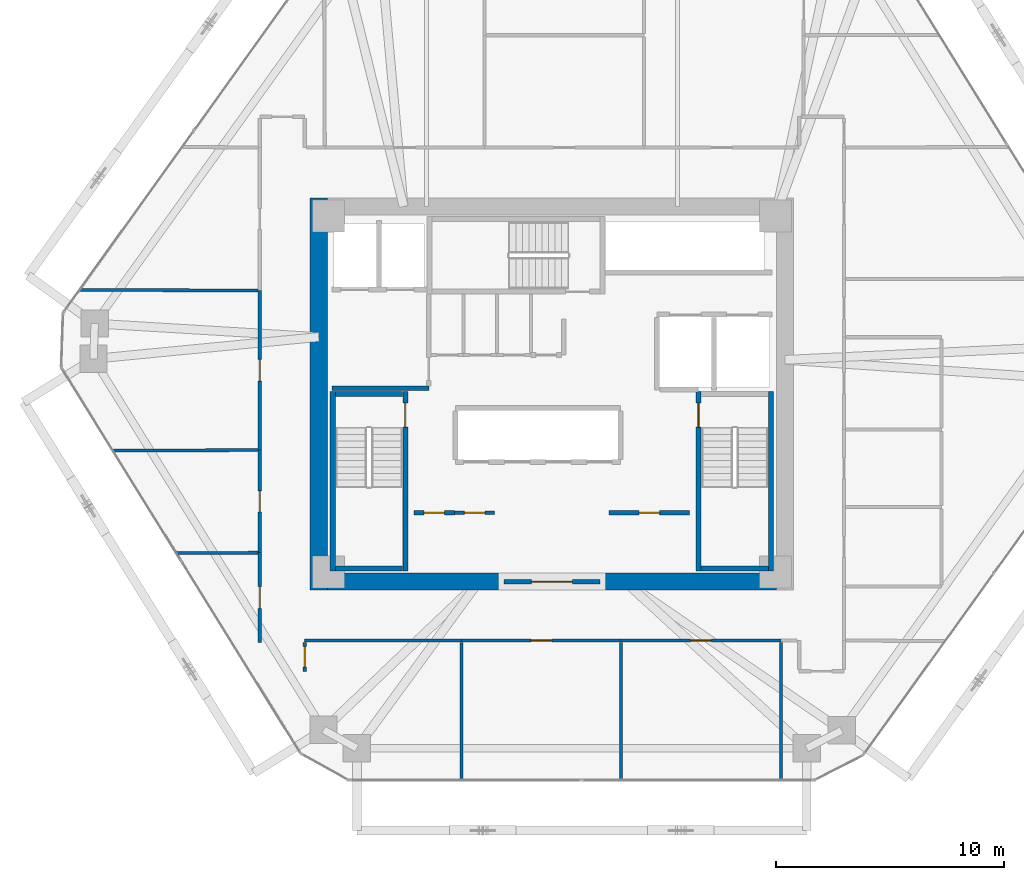
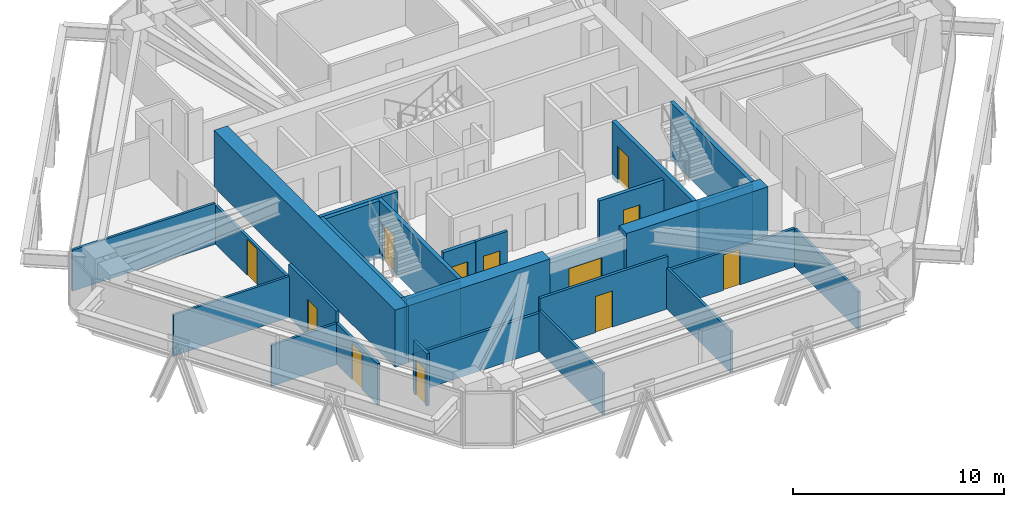
# One storey, part 12 of 16: 28 walls, 12 doors, 12 openings.
"""IFC4 building model written with IfcOpenShell, lengths in metres."""

from ifc_helpers import new_model, si_unit, direction, frame, frame_2d, origin, place, context, subcontext, project, spatial, rectangle, extrude, source, transform, mapped, material, layer, layer_set, type_object, type_shapes, element, fill, save


model = new_model("IFC4")

# Units and contexts
model_context = context("Model", 3, precision=1e-05, world=origin(), true_north=direction((0.0, 1.0)))
body_context = subcontext(model_context, "Body", "Model", "MODEL_VIEW")
ifc_project = project(units=[si_unit("LENGTHUNIT", "METRE"), si_unit("AREAUNIT", "SQUARE_METRE"), si_unit("VOLUMEUNIT", "CUBIC_METRE"), si_unit("PLANEANGLEUNIT", "RADIAN"), si_unit("MASSUNIT", "GRAM", prefix="KILO")], contexts=[model_context])

# Site, building, storey
site_placement = place(None, origin())
site = spatial("IfcSite", under=ifc_project, at=site_placement, CompositionType="ELEMENT")
building_placement = place(site_placement, origin())
building = spatial("IfcBuilding", under=site, at=building_placement, Name="Durnholm Broadcast Tower", CompositionType="ELEMENT")
storey_placement = place(building_placement, frame((0.0, 0.0, 110.699951171875)))
storey = spatial("IfcBuildingStorey", under=building, at=storey_placement, Name="L29", CompositionType="ELEMENT", Elevation=110.699951171875)

# Walls
ifc_material_1 = material(Name="Concrete C70/85", Category="concrete")
ifc_layer_1 = layer(ifc_material_1, 0.75)
ifc_layer_set_1 = layer_set([ifc_layer_1], Name="Concrete C70/85")
wall_type_1 = type_object("IfcWallType", Name="WALL-CW-750", PredefinedType="SHEAR", material=ifc_layer_set_1)
wall_1_placement = place(storey_placement, frame((-10.22509765625, -8.60009765625, 0.0), z_axis=(0.0, 0.0, 1.0), x_axis=(0.0, 1.0, 0.0)))
element("IfcWall", 1, at=wall_1_placement, inside=storey, type_object=wall_type_1, Name="L29 central core shear wall CW-WEST", PredefinedType="SHEAR", context=body_context, shape_type="SweptSolid", body=[
    extrude(rectangle(XDim=17.2001953125, YDim=0.75, at=frame_2d((8.60009765625, 0.0))), origin(), (0.0, 0.0, 1.0), 3.300048828125),
])
for number, where, z_axis, x_axis, name in (
    (2, (-9.85009765625, -8.22509765625, 0.0), (0.0, 0.0, 1.0), (1.0, 0.0, 0.0), "L29 central core shear wall CW-S1"),
    (3, (2.10009765625, -8.22509765625, 0.0), (0.0, 0.0, 1.0), (1.0, 0.0, 0.0), "L29 central core shear wall CW-S2"),
):
    element("IfcWall", number, at=place(storey_placement, frame(where, z_axis=z_axis, x_axis=x_axis)), inside=storey, type_object=wall_type_1, Name=name, PredefinedType="SHEAR", context=body_context, shape_type="SweptSolid", body=[
        extrude(rectangle(XDim=7.75, YDim=0.75, at=frame_2d((3.875, 0.0))), origin(), (0.0, 0.0, 1.0), 3.300048828125),
    ])

# Wall, opening, door
ifc_material_2 = material(Name="Fire-Rated Gypsum Shaftwall", Category="concrete")
ifc_layer_2 = layer(ifc_material_2, 0.199951171875)
ifc_layer_set_2 = layer_set([ifc_layer_2], Name="Fire-Rated Gypsum Shaftwall")
wall_type_2 = type_object("IfcWallType", Name="WALL-LOB-200", PredefinedType="SOLIDWALL", material=ifc_layer_set_2)
wall_2_placement = place(storey_placement, frame((-2.10009765625, -8.22509765625, 0.0), z_axis=(0.0, 0.0, 1.0), x_axis=(1.0, 0.0, 0.0)))
wall_2 = element("IfcWall", 4, at=wall_2_placement, inside=storey, type_object=wall_type_2, Name="L29 south core lobby fire screen", PredefinedType="SOLIDWALL", context=body_context, shape_type="SweptSolid", body=[
    extrude(rectangle(XDim=4.2001953125, YDim=0.199951171875, at=frame_2d((2.10009765625, 0.0))), origin(), (0.0, 0.0, 1.0), 3.045166015625),
])
opening_1_placement = place(wall_2_placement, frame((1.199951171875, 0.0, 0.0)))
opening_1 = element("IfcOpeningElement", 5, at=opening_1_placement, cuts=wall_2, Name="Opening DP-60", PredefinedType="OPENING", context=body_context, shape_type="SweptSolid", body=[
    extrude(rectangle(XDim=1.800048828125, YDim=2.14990234375, at=frame_2d((0.89990234375, 1.074951171875))), frame((0.0, 0.10986328125, 0.0), z_axis=(0.0, -1.0, 0.0), x_axis=(1.0, 0.0, 0.0)), (0.0, 0.0, 1.0), 0.219970703125),
])
ifc_material_3 = material(Name="Fire-Rated Double Corridor Door", Category="steel")
ifc_layer_3 = layer(ifc_material_3, 0.050048828125)
ifc_layer_set_3 = layer_set([ifc_layer_3], Name="Fire-Rated Double Corridor Door")
door_type_1 = type_object("IfcDoorType", Name="DOOR-PAIR-FD60", OperationType="DOUBLE_DOOR_SINGLE_SWING", PredefinedType="DOOR", material=ifc_layer_set_3)
shared_shape_1 = source(origin(), body_context, "Body", "SweptSolid", [
    extrude(rectangle(XDim=1.800048828125, YDim=2.14990234375, at=frame_2d((0.89990234375, 1.074951171875))), frame((0.0, 0.02490234375, 0.0), z_axis=(0.0, -1.0, 0.0), x_axis=(1.0, 0.0, 0.0)), (0.0, 0.0, 1.0), 0.050048828125),
])
type_shapes(door_type_1, [shared_shape_1])
door_1_placement = place(opening_1_placement, origin())
door_1 = element("IfcDoor", 6, at=door_1_placement, inside=storey, type_object=door_type_1, Name="L29 south core lobby double fire door", OperationType="DOUBLE_DOOR_SINGLE_SWING", OverallHeight=2.14990234375, OverallWidth=1.800048828125, PredefinedType="DOOR", context=body_context, shape_type="MappedRepresentation", body=[
    mapped(shared_shape_1, transform((0.0, 0.0, 0.0), x_axis=(1.0, 0.0, 0.0), y_axis=(0.0, 1.0, 0.0), z_axis=(0.0, 0.0, 1.0), scale=1.0)),
])
fill(opening_1, door_1)

# Wall
wall_3_placement = place(storey_placement, frame((-9.64990234375, 0.25, 0.0), z_axis=(0.0, 0.0, 1.0), x_axis=(1.0, 0.0, 0.0)))
element("IfcWall", 7, at=wall_3_placement, inside=storey, type_object=wall_type_2, Name="L29 Fire Service Access Elevator lobby south wall", PredefinedType="SOLIDWALL", context=body_context, shape_type="SweptSolid", body=[
    extrude(rectangle(XDim=4.27001953125, YDim=0.199951171875, at=frame_2d((2.135009765625, 0.0))), origin(), (0.0, 0.0, 1.0), 3.045166015625),
])

# Wall, opening, door
wall_4_placement = place(storey_placement, frame((-6.0400390625, -5.2099609375, 0.0), z_axis=(0.0, 0.0, 1.0), x_axis=(1.0, 0.0, 0.0)))
wall_4 = element("IfcWall", 8, at=wall_4_placement, inside=storey, type_object=wall_type_2, Name="L29 Media Fiber Patch Room corridor partition", PredefinedType="SOLIDWALL", context=body_context, shape_type="SweptSolid", body=[
    extrude(rectangle(XDim=1.760009765625, YDim=0.199951171875, at=frame_2d((0.8798828125, 0.0))), origin(), (0.0, 0.0, 1.0), 3.045166015625),
])
opening_2_placement = place(wall_4_placement, frame((0.429931640625, 0.0, 0.0)))
opening_2 = element("IfcOpeningElement", 9, at=opening_2_placement, cuts=wall_4, Name="Opening DC-60R", PredefinedType="OPENING", context=body_context, shape_type="SweptSolid", body=[
    extrude(rectangle(XDim=0.89990234375, YDim=2.050048828125, at=frame_2d((0.449951171875, 1.02490234375))), frame((0.0, 0.10986328125, 0.0), z_axis=(0.0, -1.0, 0.0), x_axis=(1.0, 0.0, 0.0)), (0.0, 0.0, 1.0), 0.219970703125),
])
ifc_material_4 = material(Name="Fire-Rated Core Service Door", Category="steel")
ifc_layer_4 = layer(ifc_material_4, 0.050048828125)
ifc_layer_set_4 = layer_set([ifc_layer_4], Name="Fire-Rated Core Service Door")
door_type_2 = type_object("IfcDoorType", Name="DOOR-CORE-FD60-R", OperationType="NOTDEFINED", PredefinedType="DOOR", material=ifc_layer_set_4)
shared_shape_2 = source(origin(), body_context, "Body", "SweptSolid", [
    extrude(rectangle(XDim=0.89990234375, YDim=2.050048828125, at=frame_2d((0.449951171875, 1.02490234375))), frame((0.0, 0.02490234375, 0.0), z_axis=(0.0, -1.0, 0.0), x_axis=(1.0, 0.0, 0.0)), (0.0, 0.0, 1.0), 0.050048828125),
])
type_shapes(door_type_2, [shared_shape_2])
door_2_placement = place(opening_2_placement, origin())
door_2 = element("IfcDoor", 10, at=door_2_placement, inside=storey, type_object=door_type_2, Name="L29 Media Fiber Patch Room entrance door", OperationType="SINGLE_SWING_RIGHT", OverallHeight=2.050048828125, OverallWidth=0.89990234375, PredefinedType="DOOR", context=body_context, shape_type="MappedRepresentation", body=[
    mapped(shared_shape_2, transform((0.0, 0.0, 0.0), x_axis=(1.0, 0.0, 0.0), y_axis=(0.0, 1.0, 0.0), z_axis=(0.0, 0.0, 1.0), scale=1.0)),
])
fill(opening_2, door_2)

wall_5_placement = place(storey_placement, frame((2.510009765625, -5.2099609375, 0.0), z_axis=(0.0, 0.0, 1.0), x_axis=(1.0, 0.0, 0.0)))
wall_5 = element("IfcWall", 11, at=wall_5_placement, inside=storey, type_object=wall_type_2, Name="L29 Telemetry Control Closet corridor partition", PredefinedType="SOLIDWALL", context=body_context, shape_type="SweptSolid", body=[
    extrude(rectangle(XDim=3.530029296875, YDim=0.199951171875, at=frame_2d((1.76513671875, 0.0))), origin(), (0.0, 0.0, 1.0), 3.045166015625),
])
opening_3_placement = place(wall_5_placement, frame((1.31494140625, 0.0, 0.0)))
opening_3 = element("IfcOpeningElement", 12, at=opening_3_placement, cuts=wall_5, Name="Opening DC-60R", PredefinedType="OPENING", context=body_context, shape_type="SweptSolid", body=[
    extrude(rectangle(XDim=0.89990234375, YDim=2.050048828125, at=frame_2d((0.449951171875, 1.02490234375))), frame((0.0, 0.10986328125, 0.0), z_axis=(0.0, -1.0, 0.0), x_axis=(1.0, 0.0, 0.0)), (0.0, 0.0, 1.0), 0.219970703125),
])
door_3_placement = place(opening_3_placement, origin())
door_3 = element("IfcDoor", 13, at=door_3_placement, inside=storey, type_object=door_type_2, Name="L29 Telemetry Control Closet entrance door", OperationType="SINGLE_SWING_RIGHT", OverallHeight=2.050048828125, OverallWidth=0.89990234375, PredefinedType="DOOR", context=body_context, shape_type="MappedRepresentation", body=[
    mapped(shared_shape_2, transform((0.0, 0.0, 0.0), x_axis=(1.0, 0.0, 0.0), y_axis=(0.0, 1.0, 0.0), z_axis=(0.0, 0.0, 1.0), scale=1.0)),
])
fill(opening_3, door_3)

# Walls
ifc_material_5 = material(Name="Gypsum Metal Stud Partition", Category="concrete")
ifc_layer_5 = layer(ifc_material_5, 0.135009765625)
ifc_layer_set_5 = layer_set([ifc_layer_5], Name="Gypsum Metal Stud Partition")
wall_type_3 = type_object("IfcWallType", Name="WALL-PART-135", PredefinedType="PARTITIONING", material=ifc_layer_set_5)
for number, where, z_axis, x_axis, name in (
    (14, (-3.9599609375, -10.888916015625, 0.0), (0.0, 0.0, 1.0), (0.0, -1.0, 0.0), "L29 room dividing partition 18.19"),
    (15, (3.0400390625, -10.888916015625, 0.0), (0.0, 0.0, 1.0), (0.0, -1.0, 0.0), "L29 room dividing partition 19.20"),
):
    element("IfcWall", number, at=place(storey_placement, frame(where, z_axis=z_axis, x_axis=x_axis)), inside=storey, type_object=wall_type_3, Name=name, PredefinedType="PARTITIONING", context=body_context, shape_type="SweptSolid", body=[
        extrude(rectangle(XDim=6.048095703125, YDim=0.135009765625, at=frame_2d((3.02392578125, 0.0))), origin(), (0.0, 0.0, 1.0), 2.380126953125),
    ])
wall_6_placement = place(storey_placement, frame((10.0400390625, -10.888916015625, 0.0), z_axis=(0.0, 0.0, 1.0), x_axis=(0.0, -1.0, 0.0)))
element("IfcWall", 16, at=wall_6_placement, inside=storey, type_object=wall_type_3, Name="L29 room dividing partition 20.21", PredefinedType="PARTITIONING", context=body_context, shape_type="SweptSolid", body=[
    extrude(rectangle(XDim=6.048095703125, YDim=0.135009765625, at=frame_2d((3.02392578125, 0.0))), origin(), (0.0, 0.0, 1.0), 2.212158203125),
])
wall_7_placement = place(storey_placement, frame((-16.4638671875, -6.981201171875, 0.0), z_axis=(0.0, 0.0, 1.0), x_axis=(0.99998315245, 0.005804723619, 0.0)))
element("IfcWall", 17, at=wall_7_placement, inside=storey, type_object=wall_type_3, Name="L29 room dividing partition 22.23", PredefinedType="PARTITIONING", context=body_context, shape_type="SweptSolid", body=[
    extrude(rectangle(XDim=3.574951171875, YDim=0.135009765625, at=frame_2d((1.78759765625, 0.0))), origin(), (0.0, 0.0, 1.0), 2.380126953125),
])
wall_8_placement = place(storey_placement, frame((-19.255126953125, -2.481201171875, 0.0), z_axis=(0.0, 0.0, 1.0), x_axis=(0.999994561471, 0.003298033912, 0.0)))
element("IfcWall", 18, at=wall_8_placement, inside=storey, type_object=wall_type_3, Name="L29 room dividing partition 23.24", PredefinedType="PARTITIONING", context=body_context, shape_type="SweptSolid", body=[
    extrude(rectangle(XDim=6.3662109375, YDim=0.135009765625, at=frame_2d((3.18310546875, 0.0))), origin(), (0.0, 0.0, 1.0), 2.380126953125),
])
wall_9_placement = place(storey_placement, frame((-20.71630859375, 4.563232421875, 0.0), z_axis=(0.0, 0.0, 1.0), x_axis=(0.999995701977, -0.002931898443, 0.0)))
element("IfcWall", 19, at=wall_9_placement, inside=storey, type_object=wall_type_3, Name="L29 room dividing partition 24.25", PredefinedType="PARTITIONING", context=body_context, shape_type="SweptSolid", body=[
    extrude(rectangle(XDim=7.827392578125, YDim=0.135009765625, at=frame_2d((3.91357421875, 0.0))), origin(), (0.0, 0.0, 1.0), 2.380126953125),
])

# Wall, opening, door
ifc_material_6 = material(Name="Acoustic Gypsum Stud Partition", Category="concrete")
ifc_layer_6 = layer(ifc_material_6, 0.14990234375)
ifc_layer_set_6 = layer_set([ifc_layer_6], Name="Acoustic Gypsum Stud Partition")
wall_type_4 = type_object("IfcWallType", Name="WALL-PART-150", PredefinedType="PARTITIONING", material=ifc_layer_set_6)
wall_10_placement = place(storey_placement, frame((-4.260009765625, -5.2099609375, 0.0), z_axis=(0.0, 0.0, 1.0), x_axis=(1.0, 0.0, 0.0)))
wall_10 = element("IfcWall", 20, at=wall_10_placement, inside=storey, type_object=wall_type_4, Name="L29 Copy and Print Room corridor partition", PredefinedType="PARTITIONING", context=body_context, shape_type="SweptSolid", body=[
    extrude(rectangle(XDim=1.75, YDim=0.14990234375, at=frame_2d((0.875, 0.0))), origin(), (0.0, 0.0, 1.0), 3.045166015625),
])
opening_4_placement = place(wall_10_placement, frame((0.425048828125, 0.0, 0.0)))
opening_4 = element("IfcOpeningElement", 21, at=opening_4_placement, cuts=wall_10, Name="Opening DC-60L", PredefinedType="OPENING", context=body_context, shape_type="SweptSolid", body=[
    extrude(rectangle(XDim=0.89990234375, YDim=2.050048828125, at=frame_2d((0.449951171875, 1.02490234375))), frame((0.0, 0.0849609375, 0.0), z_axis=(0.0, -1.0, 0.0), x_axis=(1.0, 0.0, 0.0)), (0.0, 0.0, 1.0), 0.169921875),
])
ifc_layer_7 = layer(ifc_material_4, 0.050048828125)
ifc_layer_set_7 = layer_set([ifc_layer_7], Name="Fire-Rated Core Service Door")
door_type_3 = type_object("IfcDoorType", Name="DOOR-CORE-FD60-L", OperationType="NOTDEFINED", PredefinedType="DOOR", material=ifc_layer_set_7)
shared_shape_3 = source(origin(), body_context, "Body", "SweptSolid", [
    extrude(rectangle(XDim=0.89990234375, YDim=2.050048828125, at=frame_2d((0.449951171875, 1.02490234375))), frame((0.0, 0.02490234375, 0.0), z_axis=(0.0, -1.0, 0.0), x_axis=(1.0, 0.0, 0.0)), (0.0, 0.0, 1.0), 0.050048828125),
])
type_shapes(door_type_3, [shared_shape_3])
door_4_placement = place(opening_4_placement, origin())
door_4 = element("IfcDoor", 22, at=door_4_placement, inside=storey, type_object=door_type_3, Name="L29 Copy and Print Room entrance door", OperationType="SINGLE_SWING_LEFT", OverallHeight=2.050048828125, OverallWidth=0.89990234375, PredefinedType="DOOR", context=body_context, shape_type="MappedRepresentation", body=[
    mapped(shared_shape_3, transform((0.0, 0.0, 0.0), x_axis=(1.0, 0.0, 0.0), y_axis=(0.0, 1.0, 0.0), z_axis=(0.0, 0.0, 1.0), scale=1.0)),
])
fill(opening_4, door_4)

# Wall
wall_11_placement = place(storey_placement, frame((-10.840087890625, -10.81005859375, 0.0), z_axis=(0.0, 0.0, 1.0), x_axis=(1.0, 0.0, 0.0)))
element("IfcWall", 23, at=wall_11_placement, inside=storey, type_object=wall_type_4, Name="L29 Post Producer Office corridor partition", PredefinedType="PARTITIONING", context=body_context, shape_type="SweptSolid", body=[
    extrude(rectangle(XDim=6.880126953125, YDim=0.14990234375, at=frame_2d((3.43994140625, 0.0))), origin(), (0.0, 0.0, 1.0), 2.212158203125),
])

# Wall, opening, door
wall_12_placement = place(storey_placement, frame((-10.840087890625, -12.159912109375, 0.0), z_axis=(0.0, 0.0, 1.0), x_axis=(0.0, 1.0, 0.0)))
wall_12 = element("IfcWall", 24, at=wall_12_placement, inside=storey, type_object=wall_type_4, Name="L29 Post Producer Office corridor partition", PredefinedType="PARTITIONING", context=body_context, shape_type="SweptSolid", body=[
    extrude(rectangle(XDim=1.27099609375, YDim=0.14990234375, at=frame_2d((0.635498046875, 0.0))), origin(), (0.0, 0.0, 1.0), 3.045166015625),
])
opening_5_placement = place(wall_12_placement, frame((0.185546875, 0.0, 0.0)))
opening_5 = element("IfcOpeningElement", 25, at=opening_5_placement, cuts=wall_12, Name="Opening DW-90L", PredefinedType="OPENING", context=body_context, shape_type="SweptSolid", body=[
    extrude(rectangle(XDim=0.89990234375, YDim=2.050048828125, at=frame_2d((0.449951171875, 1.02490234375))), frame((0.0, 0.0849609375, 0.0), z_axis=(0.0, -1.0, 0.0), x_axis=(1.0, 0.0, 0.0)), (0.0, 0.0, 1.0), 0.169921875),
])
ifc_material_7 = material(Name="Laminate Restroom Door", Category="steel")
ifc_layer_8 = layer(ifc_material_7, 0.050048828125)
ifc_layer_set_8 = layer_set([ifc_layer_8], Name="Laminate Restroom Door")
door_type_4 = type_object("IfcDoorType", Name="DOOR-WC-900L", OperationType="NOTDEFINED", PredefinedType="DOOR", material=ifc_layer_set_8)
shared_shape_4 = source(origin(), body_context, "Body", "SweptSolid", [
    extrude(rectangle(XDim=0.89990234375, YDim=2.050048828125, at=frame_2d((0.449951171875, 1.02490234375))), frame((0.0, 0.02490234375, 0.0), z_axis=(0.0, -1.0, 0.0), x_axis=(1.0, 0.0, 0.0)), (0.0, 0.0, 1.0), 0.050048828125),
])
type_shapes(door_type_4, [shared_shape_4])
door_5_placement = place(opening_5_placement, origin())
door_5 = element("IfcDoor", 26, at=door_5_placement, inside=storey, type_object=door_type_4, Name="L29 Post Producer Office entrance door", OperationType="SINGLE_SWING_LEFT", OverallHeight=2.050048828125, OverallWidth=0.89990234375, PredefinedType="DOOR", context=body_context, shape_type="MappedRepresentation", body=[
    mapped(shared_shape_4, transform((0.0, 0.0, 0.0), x_axis=(1.0, 0.0, 0.0), y_axis=(0.0, 1.0, 0.0), z_axis=(0.0, 0.0, 1.0), scale=1.0)),
])
fill(opening_5, door_5)

wall_13_placement = place(storey_placement, frame((-3.9599609375, -10.81005859375, 0.0), z_axis=(0.0, 0.0, 1.0), x_axis=(1.0, 0.0, 0.0)))
wall_13 = element("IfcWall", 27, at=wall_13_placement, inside=storey, type_object=wall_type_4, Name="L29 Client Meeting Room corridor partition", PredefinedType="PARTITIONING", context=body_context, shape_type="SweptSolid", body=[
    extrude(rectangle(XDim=7.0, YDim=0.14990234375, at=frame_2d((3.5, 0.0))), origin(), (0.0, 0.0, 1.0), 3.045166015625),
])
opening_6_placement = place(wall_13_placement, frame((3.0400390625, 0.0, 0.0)))
opening_6 = element("IfcOpeningElement", 28, at=opening_6_placement, cuts=wall_13, Name="Opening DR-92R", PredefinedType="OPENING", context=body_context, shape_type="SweptSolid", body=[
    extrude(rectangle(XDim=0.919921875, YDim=2.10009765625, at=frame_2d((0.4599609375, 1.050048828125))), frame((0.0, 0.0849609375, 0.0), z_axis=(0.0, -1.0, 0.0), x_axis=(1.0, 0.0, 0.0)), (0.0, 0.0, 1.0), 0.169921875),
])
ifc_material_8 = material(Name="Oak Veneer Office Door", Category="wood")
ifc_layer_9 = layer(ifc_material_8, 0.050048828125)
ifc_layer_set_9 = layer_set([ifc_layer_9], Name="Oak Veneer Office Door")
door_type_5 = type_object("IfcDoorType", Name="DOOR-RM-920R", OperationType="NOTDEFINED", PredefinedType="DOOR", material=ifc_layer_set_9)
shared_shape_5 = source(origin(), body_context, "Body", "SweptSolid", [
    extrude(rectangle(XDim=0.919921875, YDim=2.10009765625, at=frame_2d((0.4599609375, 1.050048828125))), frame((0.0, 0.02490234375, 0.0), z_axis=(0.0, -1.0, 0.0), x_axis=(1.0, 0.0, 0.0)), (0.0, 0.0, 1.0), 0.050048828125),
])
type_shapes(door_type_5, [shared_shape_5])
door_6_placement = place(opening_6_placement, origin())
door_6 = element("IfcDoor", 29, at=door_6_placement, inside=storey, type_object=door_type_5, Name="L29 Client Meeting Room entrance door", OperationType="SINGLE_SWING_RIGHT", OverallHeight=2.10009765625, OverallWidth=0.919921875, PredefinedType="DOOR", context=body_context, shape_type="MappedRepresentation", body=[
    mapped(shared_shape_5, transform((0.0, 0.0, 0.0), x_axis=(1.0, 0.0, 0.0), y_axis=(0.0, 1.0, 0.0), z_axis=(0.0, 0.0, 1.0), scale=1.0)),
])
fill(opening_6, door_6)

wall_14_placement = place(storey_placement, frame((3.0400390625, -10.81005859375, 0.0), z_axis=(0.0, 0.0, 1.0), x_axis=(1.0, 0.0, 0.0)))
wall_14 = element("IfcWall", 30, at=wall_14_placement, inside=storey, type_object=wall_type_4, Name="L29 Tape Store corridor partition", PredefinedType="PARTITIONING", context=body_context, shape_type="SweptSolid", body=[
    extrude(rectangle(XDim=7.0, YDim=0.14990234375, at=frame_2d((3.5, 0.0))), origin(), (0.0, 0.0, 1.0), 2.212158203125),
])
opening_7_placement = place(wall_14_placement, frame((3.050048828125, 0.0, 0.0)))
opening_7 = element("IfcOpeningElement", 31, at=opening_7_placement, cuts=wall_14, Name="Opening DC-60L", PredefinedType="OPENING", context=body_context, shape_type="SweptSolid", body=[
    extrude(rectangle(XDim=0.89990234375, YDim=2.050048828125, at=frame_2d((0.449951171875, 1.02490234375))), frame((0.0, 0.0849609375, 0.0), z_axis=(0.0, -1.0, 0.0), x_axis=(1.0, 0.0, 0.0)), (0.0, 0.0, 1.0), 0.169921875),
])
door_7_placement = place(opening_7_placement, origin())
door_7 = element("IfcDoor", 32, at=door_7_placement, inside=storey, type_object=door_type_3, Name="L29 Tape Store entrance door", OperationType="SINGLE_SWING_LEFT", OverallHeight=2.050048828125, OverallWidth=0.89990234375, PredefinedType="DOOR", context=body_context, shape_type="MappedRepresentation", body=[
    mapped(shared_shape_3, transform((0.0, 0.0, 0.0), x_axis=(1.0, 0.0, 0.0), y_axis=(0.0, 1.0, 0.0), z_axis=(0.0, 0.0, 1.0), scale=1.0)),
])
fill(opening_7, door_7)

wall_15_placement = place(storey_placement, frame((-12.81005859375, -6.9599609375, 0.0), z_axis=(0.0, 0.0, 1.0), x_axis=(0.0, -1.0, 0.0)))
wall_15 = element("IfcWall", 33, at=wall_15_placement, inside=storey, type_object=wall_type_4, Name="L29 VFX Office 2 corridor partition", PredefinedType="PARTITIONING", context=body_context, shape_type="SweptSolid", body=[
    extrude(rectangle(XDim=3.929931640625, YDim=0.14990234375, at=frame_2d((1.96484375, 0.0))), origin(), (0.0, 0.0, 1.0), 2.380126953125),
])
opening_8_placement = place(wall_15_placement, frame((1.489990234375, 0.0, 0.0)))
opening_8 = element("IfcOpeningElement", 34, at=opening_8_placement, cuts=wall_15, Name="Opening DR-95L", PredefinedType="OPENING", context=body_context, shape_type="SweptSolid", body=[
    extrude(rectangle(XDim=0.949951171875, YDim=2.10009765625, at=frame_2d((0.47509765625, 1.050048828125))), frame((0.0, 0.0849609375, 0.0), z_axis=(0.0, -1.0, 0.0), x_axis=(1.0, 0.0, 0.0)), (0.0, 0.0, 1.0), 0.169921875),
])
ifc_material_9 = material(Name="Acoustic Oak Veneer Timber Door", Category="wood")
ifc_layer_10 = layer(ifc_material_9, 0.050048828125)
ifc_layer_set_10 = layer_set([ifc_layer_10], Name="Acoustic Oak Veneer Timber Door")
door_type_6 = type_object("IfcDoorType", Name="DOOR-RM-950L", OperationType="NOTDEFINED", PredefinedType="DOOR", material=ifc_layer_set_10)
shared_shape_6 = source(origin(), body_context, "Body", "SweptSolid", [
    extrude(rectangle(XDim=0.949951171875, YDim=2.10009765625, at=frame_2d((0.47509765625, 1.050048828125))), frame((0.0, 0.02490234375, 0.0), z_axis=(0.0, -1.0, 0.0), x_axis=(1.0, 0.0, 0.0)), (0.0, 0.0, 1.0), 0.050048828125),
])
type_shapes(door_type_6, [shared_shape_6])
door_8_placement = place(opening_8_placement, origin())
door_8 = element("IfcDoor", 35, at=door_8_placement, inside=storey, type_object=door_type_6, Name="L29 VFX Office 2 entrance door", OperationType="SINGLE_SWING_LEFT", OverallHeight=2.10009765625, OverallWidth=0.949951171875, PredefinedType="DOOR", context=body_context, shape_type="MappedRepresentation", body=[
    mapped(shared_shape_6, transform((0.0, 0.0, 0.0), x_axis=(1.0, 0.0, 0.0), y_axis=(0.0, 1.0, 0.0), z_axis=(0.0, 0.0, 1.0), scale=1.0)),
])
fill(opening_8, door_8)

wall_16_placement = place(storey_placement, frame((-12.81005859375, -2.4599609375, 0.0), z_axis=(0.0, 0.0, 1.0), x_axis=(0.0, -1.0, 0.0)))
wall_16 = element("IfcWall", 36, at=wall_16_placement, inside=storey, type_object=wall_type_4, Name="L29 ADR Office corridor partition", PredefinedType="PARTITIONING", context=body_context, shape_type="SweptSolid", body=[
    extrude(rectangle(XDim=4.5, YDim=0.14990234375, at=frame_2d((2.25, 0.0))), origin(), (0.0, 0.0, 1.0), 3.045166015625),
])
opening_9_placement = place(wall_16_placement, frame((1.7900390625, 0.0, 0.0)))
opening_9 = element("IfcOpeningElement", 37, at=opening_9_placement, cuts=wall_16, Name="Opening DR-92R", PredefinedType="OPENING", context=body_context, shape_type="SweptSolid", body=[
    extrude(rectangle(XDim=0.919921875, YDim=2.10009765625, at=frame_2d((0.4599609375, 1.050048828125))), frame((0.0, 0.0849609375, 0.0), z_axis=(0.0, -1.0, 0.0), x_axis=(1.0, 0.0, 0.0)), (0.0, 0.0, 1.0), 0.169921875),
])
door_9_placement = place(opening_9_placement, origin())
door_9 = element("IfcDoor", 38, at=door_9_placement, inside=storey, type_object=door_type_5, Name="L29 ADR Office entrance door", OperationType="SINGLE_SWING_RIGHT", OverallHeight=2.10009765625, OverallWidth=0.919921875, PredefinedType="DOOR", context=body_context, shape_type="MappedRepresentation", body=[
    mapped(shared_shape_5, transform((0.0, 0.0, 0.0), x_axis=(1.0, 0.0, 0.0), y_axis=(0.0, 1.0, 0.0), z_axis=(0.0, 0.0, 1.0), scale=1.0)),
])
fill(opening_9, door_9)

wall_17_placement = place(storey_placement, frame((-12.81005859375, 4.5400390625, 0.0), z_axis=(0.0, 0.0, 1.0), x_axis=(0.0, -1.0, 0.0)))
wall_17 = element("IfcWall", 39, at=wall_17_placement, inside=storey, type_object=wall_type_4, Name="L29 Atmos Mix Office corridor partition", PredefinedType="PARTITIONING", context=body_context, shape_type="SweptSolid", body=[
    extrude(rectangle(XDim=7.0, YDim=0.14990234375, at=frame_2d((3.5, 0.0))), origin(), (0.0, 0.0, 1.0), 2.212158203125),
])
opening_10_placement = place(wall_17_placement, frame((3.02490234375, 0.0, 0.0)))
opening_10 = element("IfcOpeningElement", 40, at=opening_10_placement, cuts=wall_17, Name="Opening DR-95L", PredefinedType="OPENING", context=body_context, shape_type="SweptSolid", body=[
    extrude(rectangle(XDim=0.949951171875, YDim=2.10009765625, at=frame_2d((0.47509765625, 1.050048828125))), frame((0.0, 0.0849609375, 0.0), z_axis=(0.0, -1.0, 0.0), x_axis=(1.0, 0.0, 0.0)), (0.0, 0.0, 1.0), 0.169921875),
])
door_10_placement = place(opening_10_placement, origin())
door_10 = element("IfcDoor", 41, at=door_10_placement, inside=storey, type_object=door_type_6, Name="L29 Atmos Mix Office entrance door", OperationType="SINGLE_SWING_LEFT", OverallHeight=2.10009765625, OverallWidth=0.949951171875, PredefinedType="DOOR", context=body_context, shape_type="MappedRepresentation", body=[
    mapped(shared_shape_6, transform((0.0, 0.0, 0.0), x_axis=(1.0, 0.0, 0.0), y_axis=(0.0, 1.0, 0.0), z_axis=(0.0, 0.0, 1.0), scale=1.0)),
])
fill(opening_10, door_10)

ifc_material_10 = material(Name="Concrete C50/60", Category="concrete")
ifc_layer_11 = layer(ifc_material_10, 0.219970703125)
ifc_layer_set_11 = layer_set([ifc_layer_11], Name="Concrete C50/60")
wall_type_5 = type_object("IfcWallType", Name="WALL-SW-220", PredefinedType="SHEAR", material=ifc_layer_set_11)
wall_18_placement = place(storey_placement, frame((-6.429931640625, -7.77001953125, -0.239990234375), z_axis=(0.0, 0.0, 1.0), x_axis=(0.0, 1.0, 0.0)))
wall_18 = element("IfcWall", 42, at=wall_18_placement, inside=storey, type_object=wall_type_5, Name="L29 stair ST-1 structural shaft wall E", PredefinedType="SHEAR", context=body_context, shape_type="SweptSolid", body=[
    extrude(rectangle(XDim=7.89013671875, YDim=0.219970703125, at=frame_2d((3.945068359375, 0.0))), origin(), (0.0, 0.0, 1.0), 3.300048828125),
])
opening_11_placement = place(wall_18_placement, frame((6.320068359375, 0.0, 0.0)))
opening_11 = element("IfcOpeningElement", 43, at=opening_11_placement, cuts=wall_18, Name="Opening DS-90L", PredefinedType="OPENING", context=body_context, shape_type="SweptSolid", body=[
    extrude(rectangle(XDim=1.050048828125, YDim=2.14990234375, at=frame_2d((0.52490234375, 1.074951171875))), frame((0.0, 0.1201171875, 0.0), z_axis=(0.0, -1.0, 0.0), x_axis=(1.0, 0.0, 0.0)), (0.0, 0.0, 1.0), 0.239990234375),
])
ifc_material_11 = material(Name="Fire-Rated Steel Door", Category="steel")
ifc_layer_12 = layer(ifc_material_11, 0.050048828125)
ifc_layer_set_12 = layer_set([ifc_layer_12], Name="Fire-Rated Steel Door")
door_type_7 = type_object("IfcDoorType", Name="DOOR-ST-FD90-L", OperationType="NOTDEFINED", PredefinedType="DOOR", material=ifc_layer_set_12)
shared_shape_7 = source(origin(), body_context, "Body", "SweptSolid", [
    extrude(rectangle(XDim=1.050048828125, YDim=2.14990234375, at=frame_2d((0.52490234375, 1.074951171875))), frame((0.0, 0.02490234375, 0.0), z_axis=(0.0, -1.0, 0.0), x_axis=(1.0, 0.0, 0.0)), (0.0, 0.0, 1.0), 0.050048828125),
])
type_shapes(door_type_7, [shared_shape_7])
door_11_placement = place(opening_11_placement, origin())
door_11 = element("IfcDoor", 44, at=door_11_placement, inside=storey, type_object=door_type_7, Name="L29 exit stair ST-1 fire door", OperationType="SINGLE_SWING_LEFT", OverallHeight=2.14990234375, OverallWidth=1.050048828125, PredefinedType="DOOR", context=body_context, shape_type="MappedRepresentation", body=[
    mapped(shared_shape_7, transform((0.0, 0.0, 0.0), x_axis=(1.0, 0.0, 0.0), y_axis=(0.0, 1.0, 0.0), z_axis=(0.0, 0.0, 1.0), scale=1.0)),
])
fill(opening_11, door_11)

# Walls
wall_19_placement = place(storey_placement, frame((-9.610107421875, 0.1201171875, -0.239990234375), z_axis=(0.0, 0.0, 1.0), x_axis=(0.0, -1.0, 0.0)))
element("IfcWall", 45, at=wall_19_placement, inside=storey, type_object=wall_type_5, Name="L29 stair ST-1 structural shaft wall W", PredefinedType="SHEAR", context=body_context, shape_type="SweptSolid", body=[
    extrude(rectangle(XDim=7.89013671875, YDim=0.219970703125, at=frame_2d((3.945068359375, 0.0))), origin(), (0.0, 0.0, 1.0), 3.300048828125),
])
for number, where, z_axis, x_axis, name in (
    (46, (-9.5, -7.659912109375, -0.239990234375), (0.0, 0.0, 1.0), (1.0, 0.0, 0.0), "L29 stair ST-1 structural shaft wall S"),
    (47, (-6.5400390625, 0.010009765625, -0.239990234375), (0.0, 0.0, 1.0), (-1.0, 0.0, 0.0), "L29 stair ST-1 structural shaft wall N"),
):
    element("IfcWall", number, at=place(storey_placement, frame(where, z_axis=z_axis, x_axis=x_axis)), inside=storey, type_object=wall_type_5, Name=name, PredefinedType="SHEAR", context=body_context, shape_type="SweptSolid", body=[
        extrude(rectangle(XDim=2.9599609375, YDim=0.219970703125, at=frame_2d((1.47998046875, 0.0))), origin(), (0.0, 0.0, 1.0), 3.300048828125),
    ])
wall_20_placement = place(storey_placement, frame((9.610107421875, -7.77001953125, -0.239990234375), z_axis=(0.0, 0.0, 1.0), x_axis=(0.0, 1.0, 0.0)))
element("IfcWall", 48, at=wall_20_placement, inside=storey, type_object=wall_type_5, Name="L29 stair ST-2 structural shaft wall E", PredefinedType="SHEAR", context=body_context, shape_type="SweptSolid", body=[
    extrude(rectangle(XDim=7.89013671875, YDim=0.219970703125, at=frame_2d((3.945068359375, 0.0))), origin(), (0.0, 0.0, 1.0), 3.300048828125),
])

# Wall, opening, door
wall_21_placement = place(storey_placement, frame((6.429931640625, 0.1201171875, -0.239990234375), z_axis=(0.0, 0.0, 1.0), x_axis=(0.0, -1.0, 0.0)))
wall_21 = element("IfcWall", 49, at=wall_21_placement, inside=storey, type_object=wall_type_5, Name="L29 stair ST-2 structural shaft wall W", PredefinedType="SHEAR", context=body_context, shape_type="SweptSolid", body=[
    extrude(rectangle(XDim=7.89013671875, YDim=0.219970703125, at=frame_2d((3.945068359375, 0.0))), origin(), (0.0, 0.0, 1.0), 3.300048828125),
])
opening_12_placement = place(wall_21_placement, frame((0.52001953125, 0.0, 0.0)))
opening_12 = element("IfcOpeningElement", 50, at=opening_12_placement, cuts=wall_21, Name="Opening DS-90R", PredefinedType="OPENING", context=body_context, shape_type="SweptSolid", body=[
    extrude(rectangle(XDim=1.050048828125, YDim=2.14990234375, at=frame_2d((0.52490234375, 1.074951171875))), frame((0.0, 0.1201171875, 0.0), z_axis=(0.0, -1.0, 0.0), x_axis=(1.0, 0.0, 0.0)), (0.0, 0.0, 1.0), 0.239990234375),
])
ifc_layer_13 = layer(ifc_material_11, 0.050048828125)
ifc_layer_set_13 = layer_set([ifc_layer_13], Name="Fire-Rated Steel Door")
door_type_8 = type_object("IfcDoorType", Name="DOOR-ST-FD90-R", OperationType="NOTDEFINED", PredefinedType="DOOR", material=ifc_layer_set_13)
shared_shape_8 = source(origin(), body_context, "Body", "SweptSolid", [
    extrude(rectangle(XDim=1.050048828125, YDim=2.14990234375, at=frame_2d((0.52490234375, 1.074951171875))), frame((0.0, 0.02490234375, 0.0), z_axis=(0.0, -1.0, 0.0), x_axis=(1.0, 0.0, 0.0)), (0.0, 0.0, 1.0), 0.050048828125),
])
type_shapes(door_type_8, [shared_shape_8])
door_12_placement = place(opening_12_placement, origin())
door_12 = element("IfcDoor", 51, at=door_12_placement, inside=storey, type_object=door_type_8, Name="L29 exit stair ST-2 fire door", OperationType="SINGLE_SWING_RIGHT", OverallHeight=2.14990234375, OverallWidth=1.050048828125, PredefinedType="DOOR", context=body_context, shape_type="MappedRepresentation", body=[
    mapped(shared_shape_8, transform((0.0, 0.0, 0.0), x_axis=(1.0, 0.0, 0.0), y_axis=(0.0, 1.0, 0.0), z_axis=(0.0, 0.0, 1.0), scale=1.0)),
])
fill(opening_12, door_12)

# Wall
wall_22_placement = place(storey_placement, frame((6.5400390625, -7.659912109375, -0.239990234375), z_axis=(0.0, 0.0, 1.0), x_axis=(1.0, 0.0, 0.0)))
element("IfcWall", 52, at=wall_22_placement, inside=storey, type_object=wall_type_5, Name="L29 stair ST-2 structural shaft wall S", PredefinedType="SHEAR", context=body_context, shape_type="SweptSolid", body=[
    extrude(rectangle(XDim=2.9599609375, YDim=0.219970703125, at=frame_2d((1.47998046875, 0.0))), origin(), (0.0, 0.0, 1.0), 3.300048828125),
])

save(model, "model.ifc")
